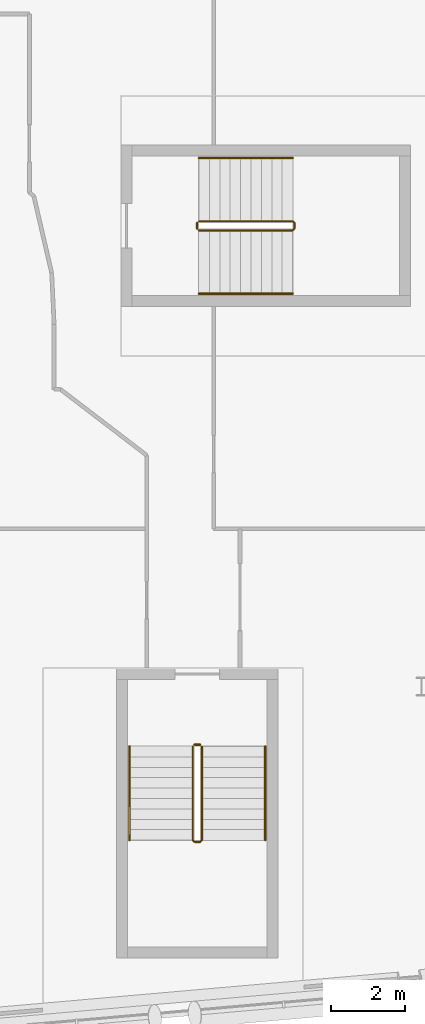
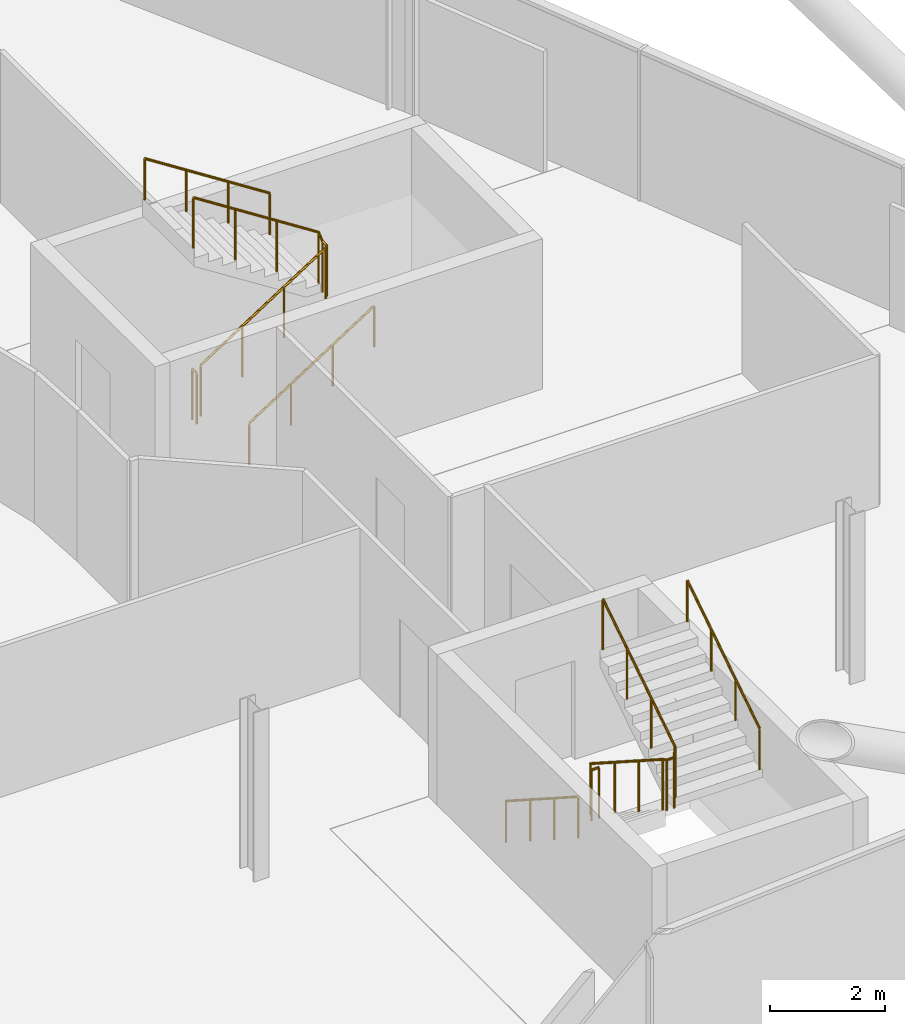
# One storey, part 25 of 26: 8 railings.
"""IFC4 building model written with IfcOpenShell, lengths in metres."""

from ifc_helpers import new_model, si_unit, direction, frame, origin, origin_2d, place, context, subcontext, project, spatial, circle, extrude, material, type_object, element, save


model = new_model("IFC4")

# Units and contexts
model_context = context("Model", 3, precision=1e-05, world=origin(), true_north=direction((0.0, 1.0)))
body_context = subcontext(model_context, "Body", "Model", "MODEL_VIEW")
ifc_project = project(units=[si_unit("LENGTHUNIT", "METRE"), si_unit("AREAUNIT", "SQUARE_METRE"), si_unit("VOLUMEUNIT", "CUBIC_METRE"), si_unit("PLANEANGLEUNIT", "RADIAN"), si_unit("MASSUNIT", "GRAM", prefix="KILO")], contexts=[model_context])

# Site, building, storey
site_placement = place(None, origin())
site = spatial("IfcSite", under=ifc_project, at=site_placement, CompositionType="ELEMENT")
building_placement = place(site_placement, origin())
building = spatial("IfcBuilding", under=site, at=building_placement, Name="Wharfspan Tower", CompositionType="ELEMENT")
storey_placement = place(building_placement, frame((0.0, 0.0, 169.899902)))
storey = spatial("IfcBuildingStorey", under=building, at=storey_placement, Name="L41", CompositionType="ELEMENT", Elevation=169.899902)

# Railings
ifc_material = material(Name="Steel S355J2", Category="steel")
railing_type_1 = type_object("IfcRailingType", Name="Stair guard 1100", PredefinedType="GUARDRAIL", material=ifc_material)
railing_1_placement = place(storey_placement, frame((65.836426, 9.883789, 0.180176)))
element("IfcRailing", 1, at=railing_1_placement, inside=storey, type_object=railing_type_1, Name="L41 ST5 stair guard 1", PredefinedType="GUARDRAIL", context=body_context, shape_type="SweptSolid", body=[
    extrude(circle(Radius=0.023926, at=origin_2d()), frame((0.0, 0.0, 1.076172), z_axis=(0.0, -0.8412, 0.540725), x_axis=(1.0, 0.0, 0.0)), (0.0, 0.0, 1.0), 2.99585),
    extrude(circle(Radius=0.023926, at=origin_2d()), frame((0.0, -2.52002, 2.695801), z_axis=(0.705376, -0.708834, 0.0), x_axis=(0.708834, 0.705376, 0.0)), (0.0, 0.0, 1.0), 0.070557),
    extrude(circle(Radius=0.023926, at=origin_2d()), frame((0.049805, -2.570068, 2.695801), z_axis=(1.0, 0.0, 0.0), x_axis=(0.0, 1.0, 0.0)), (0.0, 0.0, 1.0), 0.150146),
    extrude(circle(Radius=0.023926, at=origin_2d()), frame((0.199951, -2.570068, 2.695801), z_axis=(0.258848, 0.258848, 0.930589), x_axis=(-0.707107, 0.707107, 0.0)), (0.0, 0.0, 1.0), 0.193359),
    extrude(circle(Radius=0.023926, at=origin_2d()), frame((0.25, -2.52002, 2.875977), z_axis=(0.0, 0.841163, 0.540782), x_axis=(-1.0, 0.0, 0.0)), (0.0, 0.0, 1.0), 2.99585),
    extrude(circle(Radius=0.020996, at=origin_2d()), origin(), (0.0, 0.0, 1.0), 1.052002),
    extrude(circle(Radius=0.020996, at=origin_2d()), frame((0.0, -0.840088, 0.540039)), (0.0, 0.0, 1.0), 1.052002),
    extrude(circle(Radius=0.020996, at=origin_2d()), frame((0.0, -1.679932, 1.079834)), (0.0, 0.0, 1.0), 1.052002),
    extrude(circle(Radius=0.020996, at=origin_2d()), frame((0.0, -2.52002, 1.619873)), (0.0, 0.0, 1.0), 1.052002),
    extrude(circle(Radius=0.020996, at=origin_2d()), frame((0.049805, -2.570068, 1.619873)), (0.0, 0.0, 1.0), 1.052002),
    extrude(circle(Radius=0.020996, at=origin_2d()), frame((0.199951, -2.570068, 1.619873)), (0.0, 0.0, 1.0), 1.052002),
    extrude(circle(Radius=0.020996, at=origin_2d()), frame((0.25, -2.52002, 1.799805)), (0.0, 0.0, 1.0), 1.052002),
    extrude(circle(Radius=0.020996, at=origin_2d()), frame((0.25, -1.679932, 2.339844)), (0.0, 0.0, 1.0), 1.052002),
    extrude(circle(Radius=0.020996, at=origin_2d()), frame((0.25, -0.840088, 2.879883)), (0.0, 0.0, 1.0), 1.052002),
    extrude(circle(Radius=0.020996, at=origin_2d()), frame((0.25, 0.0, 3.419922)), (0.0, 0.0, 1.0), 1.052002),
])
railing_2_placement = place(storey_placement, frame((65.88623, 9.933594, 0.0)))
element("IfcRailing", 2, at=railing_2_placement, inside=storey, type_object=railing_type_1, Name="L41 ST5 stair guard 2", PredefinedType="GUARDRAIL", context=body_context, shape_type="SweptSolid", body=[
    extrude(circle(Radius=0.023926, at=origin_2d()), frame((0.0, 0.0, 1.076172), z_axis=(1.0, 0.0, 0.0), x_axis=(0.0, 1.0, 0.0)), (0.0, 0.0, 1.0), 0.150146),
    extrude(circle(Radius=0.020996, at=origin_2d()), origin(), (0.0, 0.0, 1.0), 1.052002),
    extrude(circle(Radius=0.020996, at=origin_2d()), frame((0.150146, 0.0, 0.0)), (0.0, 0.0, 1.0), 1.052002),
])
railing_3_placement = place(storey_placement, frame((66.004639, 23.774902, 0.180176)))
element("IfcRailing", 3, at=railing_3_placement, inside=storey, type_object=railing_type_1, Name="L41 ST6 stair guard 1", PredefinedType="GUARDRAIL", context=body_context, shape_type="SweptSolid", body=[
    extrude(circle(Radius=0.023926, at=origin_2d()), frame((0.0, 0.0, 1.076172), z_axis=(0.8412, 0.0, 0.540725), x_axis=(0.0, 1.0, 0.0)), (0.0, 0.0, 1.0), 2.99585),
    extrude(circle(Radius=0.023926, at=origin_2d()), frame((2.52002, 0.0, 2.695801), z_axis=(0.707107, 0.707107, 0.0), x_axis=(-0.707107, 0.707107, 0.0)), (0.0, 0.0, 1.0), 0.070801),
    extrude(circle(Radius=0.023926, at=origin_2d()), frame((2.570068, 0.050049, 2.695801), z_axis=(0.0, 1.0, 0.0), x_axis=(-1.0, 0.0, 0.0)), (0.0, 0.0, 1.0), 0.150146),
    extrude(circle(Radius=0.023926, at=origin_2d()), frame((2.570068, 0.200195, 2.695801), z_axis=(-0.258932, 0.257669, 0.930892), x_axis=(-0.705372, -0.708833, 1e-06)), (0.0, 0.0, 1.0), 0.193359),
    extrude(circle(Radius=0.023926, at=origin_2d()), frame((2.52002, 0.25, 2.875977), z_axis=(-0.841163, 0.0, 0.540782), x_axis=(0.0, -1.0, 0.0)), (0.0, 0.0, 1.0), 2.99585),
    extrude(circle(Radius=0.020996, at=origin_2d()), origin(), (0.0, 0.0, 1.0), 1.052002),
    extrude(circle(Radius=0.020996, at=origin_2d()), frame((0.840088, 0.0, 0.540039)), (0.0, 0.0, 1.0), 1.052002),
    extrude(circle(Radius=0.020996, at=origin_2d()), frame((1.679932, 0.0, 1.079834)), (0.0, 0.0, 1.0), 1.052002),
    extrude(circle(Radius=0.020996, at=origin_2d()), frame((2.52002, 0.0, 1.619873)), (0.0, 0.0, 1.0), 1.052002),
    extrude(circle(Radius=0.020996, at=origin_2d()), frame((2.570068, 0.050049, 1.619873)), (0.0, 0.0, 1.0), 1.052002),
    extrude(circle(Radius=0.020996, at=origin_2d()), frame((2.570068, 0.200195, 1.619873)), (0.0, 0.0, 1.0), 1.052002),
    extrude(circle(Radius=0.020996, at=origin_2d()), frame((2.52002, 0.25, 1.799805)), (0.0, 0.0, 1.0), 1.052002),
    extrude(circle(Radius=0.020996, at=origin_2d()), frame((1.679932, 0.25, 2.339844)), (0.0, 0.0, 1.0), 1.052002),
    extrude(circle(Radius=0.020996, at=origin_2d()), frame((0.840088, 0.25, 2.879883)), (0.0, 0.0, 1.0), 1.052002),
    extrude(circle(Radius=0.020996, at=origin_2d()), frame((0.0, 0.25, 3.419922)), (0.0, 0.0, 1.0), 1.052002),
])
railing_4_placement = place(storey_placement, frame((65.95459, 23.824951, 0.0)))
element("IfcRailing", 4, at=railing_4_placement, inside=storey, type_object=railing_type_1, Name="L41 ST6 stair guard 2", PredefinedType="GUARDRAIL", context=body_context, shape_type="SweptSolid", body=[
    extrude(circle(Radius=0.023926, at=origin_2d()), frame((0.0, 0.0, 1.076172), z_axis=(0.0, 1.0, 0.0), x_axis=(-1.0, 0.0, 0.0)), (0.0, 0.0, 1.0), 0.150146),
    extrude(circle(Radius=0.020996, at=origin_2d()), origin(), (0.0, 0.0, 1.0), 1.052002),
    extrude(circle(Radius=0.020996, at=origin_2d()), frame((0.0, 0.150146, 0.0)), (0.0, 0.0, 1.0), 1.052002),
])
railing_type_2 = type_object("IfcRailingType", Name="Stair handrail 900", PredefinedType="HANDRAIL", material=ifc_material)
railing_5_placement = place(storey_placement, frame((64.13623, 9.883789, 0.180176)))
element("IfcRailing", 5, at=railing_5_placement, inside=storey, type_object=railing_type_2, Name="L41 ST5 stair handrail 1", PredefinedType="HANDRAIL", context=body_context, shape_type="SweptSolid", body=[
    extrude(circle(Radius=0.023926, at=origin_2d()), frame((0.0, 0.0, 0.875977), z_axis=(0.0, -0.8412, 0.540725), x_axis=(1.0, 0.0, 0.0)), (0.0, 0.0, 1.0), 2.99585),
    extrude(circle(Radius=0.020996, at=origin_2d()), origin(), (0.0, 0.0, 1.0), 0.851807),
    extrude(circle(Radius=0.020996, at=origin_2d()), frame((0.0, -0.840088, 0.540039)), (0.0, 0.0, 1.0), 0.851807),
    extrude(circle(Radius=0.020996, at=origin_2d()), frame((0.0, -1.679932, 1.079834)), (0.0, 0.0, 1.0), 0.851807),
    extrude(circle(Radius=0.020996, at=origin_2d()), frame((0.0, -2.52002, 1.619873)), (0.0, 0.0, 1.0), 0.851807),
])
railing_6_placement = place(storey_placement, frame((67.786377, 7.36377, 1.97998)))
element("IfcRailing", 6, at=railing_6_placement, inside=storey, type_object=railing_type_2, Name="L41 ST5 stair handrail 2", PredefinedType="HANDRAIL", context=body_context, shape_type="SweptSolid", body=[
    extrude(circle(Radius=0.023926, at=origin_2d()), frame((0.0, 0.0, 0.875977), z_axis=(0.0, 0.841163, 0.540782), x_axis=(-1.0, 0.0, 0.0)), (0.0, 0.0, 1.0), 2.99585),
    extrude(circle(Radius=0.020996, at=origin_2d()), origin(), (0.0, 0.0, 1.0), 0.851807),
    extrude(circle(Radius=0.020996, at=origin_2d()), frame((0.0, 0.840088, 0.540039)), (0.0, 0.0, 1.0), 0.851807),
    extrude(circle(Radius=0.020996, at=origin_2d()), frame((0.0, 1.679932, 1.080078)), (0.0, 0.0, 1.0), 0.851807),
    extrude(circle(Radius=0.020996, at=origin_2d()), frame((0.0, 2.52002, 1.620117)), (0.0, 0.0, 1.0), 0.851807),
])
railing_7_placement = place(storey_placement, frame((66.004639, 22.074951, 0.180176)))
element("IfcRailing", 7, at=railing_7_placement, inside=storey, type_object=railing_type_2, Name="L41 ST6 stair handrail 1", PredefinedType="HANDRAIL", context=body_context, shape_type="SweptSolid", body=[
    extrude(circle(Radius=0.023926, at=origin_2d()), frame((0.0, 0.0, 0.875977), z_axis=(0.8412, 0.0, 0.540725), x_axis=(0.0, 1.0, 0.0)), (0.0, 0.0, 1.0), 2.99585),
    extrude(circle(Radius=0.020996, at=origin_2d()), origin(), (0.0, 0.0, 1.0), 0.851807),
    extrude(circle(Radius=0.020996, at=origin_2d()), frame((0.840088, 0.0, 0.540039)), (0.0, 0.0, 1.0), 0.851807),
    extrude(circle(Radius=0.020996, at=origin_2d()), frame((1.679932, 0.0, 1.079834)), (0.0, 0.0, 1.0), 0.851807),
    extrude(circle(Radius=0.020996, at=origin_2d()), frame((2.52002, 0.0, 1.619873)), (0.0, 0.0, 1.0), 0.851807),
])
railing_8_placement = place(storey_placement, frame((68.524658, 25.725098, 1.97998)))
element("IfcRailing", 8, at=railing_8_placement, inside=storey, type_object=railing_type_2, Name="L41 ST6 stair handrail 2", PredefinedType="HANDRAIL", context=body_context, shape_type="SweptSolid", body=[
    extrude(circle(Radius=0.023926, at=origin_2d()), frame((0.0, 0.0, 0.875977), z_axis=(-0.841163, 0.0, 0.540782), x_axis=(0.0, -1.0, 0.0)), (0.0, 0.0, 1.0), 2.99585),
    extrude(circle(Radius=0.020996, at=origin_2d()), origin(), (0.0, 0.0, 1.0), 0.851807),
    extrude(circle(Radius=0.020996, at=origin_2d()), frame((-0.840088, 0.0, 0.540039)), (0.0, 0.0, 1.0), 0.851807),
    extrude(circle(Radius=0.020996, at=origin_2d()), frame((-1.679932, 0.0, 1.080078)), (0.0, 0.0, 1.0), 0.851807),
    extrude(circle(Radius=0.020996, at=origin_2d()), frame((-2.52002, 0.0, 1.620117)), (0.0, 0.0, 1.0), 0.851807),
])

save(model, "model.ifc")
